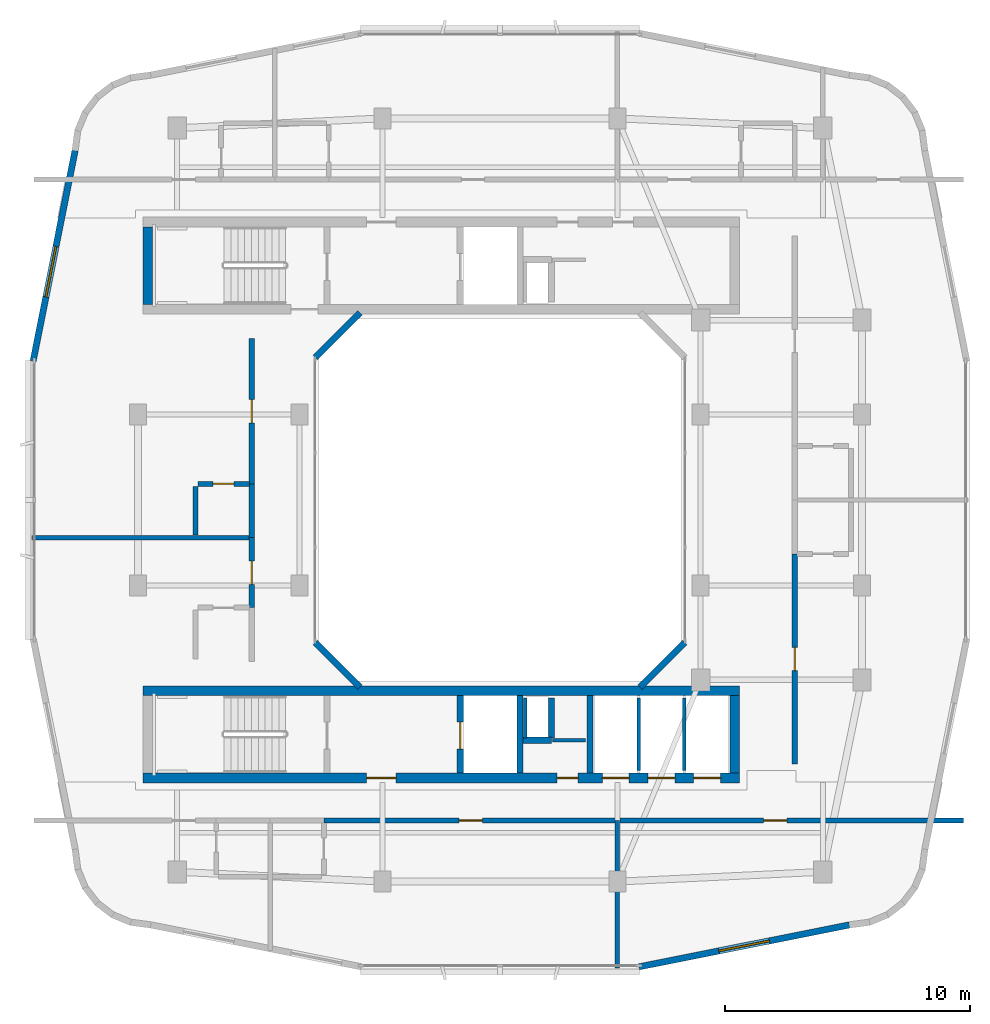
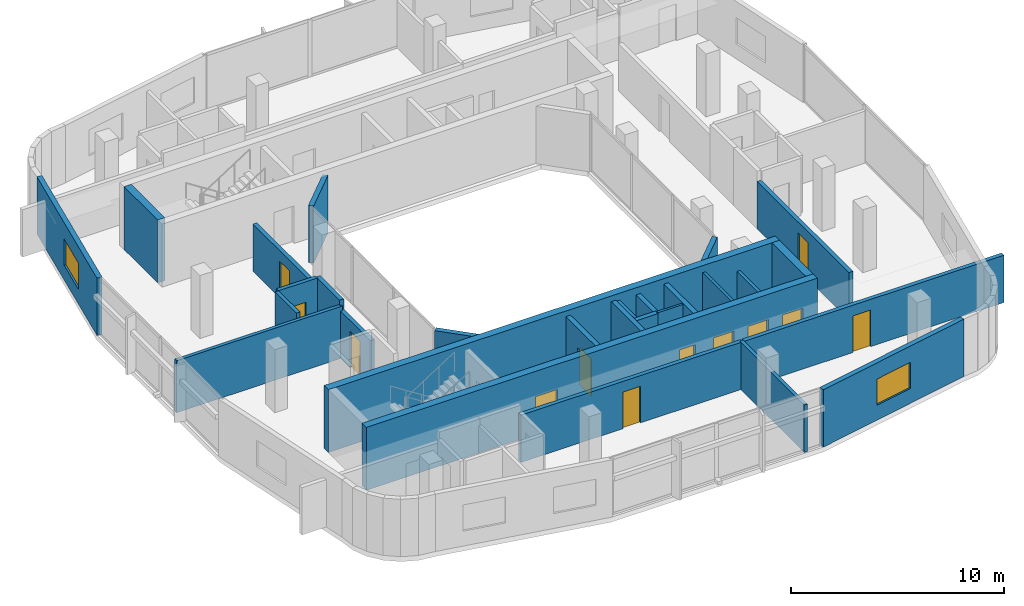
# One storey, part 7 of 13: 28 walls, 12 doors, 2 windows, 14 openings.
"""IFC4 building model written with IfcOpenShell, lengths in metres."""

from ifc_helpers import new_model, si_unit, derived_unit, direction, frame, frame_2d, origin, place, context, subcontext, project, spatial, rectangle, extrude, material, layer, layer_set, type_object, element, fill, save


model = new_model("IFC4")

# Units and contexts
model_context = context("Model", 3, precision=1e-05, world=origin(), true_north=direction((0.0, 1.0)))
body_context = subcontext(model_context, "Body", "Model", "MODEL_VIEW")
ifc_project = project(units=[si_unit("LENGTHUNIT", "METRE"), si_unit("AREAUNIT", "SQUARE_METRE"), si_unit("VOLUMEUNIT", "CUBIC_METRE"), si_unit("PLANEANGLEUNIT", "RADIAN"), si_unit("MASSUNIT", "GRAM", prefix="KILO"), derived_unit("THERMALTRANSMITTANCEUNIT", [(si_unit("POWERUNIT", "WATT"), 1), (si_unit("LENGTHUNIT", "METRE"), -2), (si_unit("THERMODYNAMICTEMPERATUREUNIT", "KELVIN"), -1)])], contexts=[model_context])

# Site, building, storey
site_placement = place(None, origin())
site = spatial("IfcSite", under=ifc_project, at=site_placement, CompositionType="ELEMENT")
building_placement = place(site_placement, origin())
building = spatial("IfcBuilding", under=site, at=building_placement, Name="Kivonza Crest Hotel", CompositionType="ELEMENT")
storey_placement = place(building_placement, frame((0.0, 0.0, 235.10009765625)))
storey = spatial("IfcBuildingStorey", under=building, at=storey_placement, Name="L64", CompositionType="ELEMENT", Elevation=235.10009765625)

# Walls
ifc_material_1 = material(Name="High-density acoustic masonry inter-tenancy wall", Category="masonry")
ifc_layer_1 = layer(ifc_material_1, 0.179931640625)
ifc_layer_set_1 = layer_set([ifc_layer_1], Name="High-density acoustic masonry inter-tenancy wall")
wall_type_1 = type_object("IfcWallType", Name="WL-ACOU-180", PredefinedType="SOLIDWALL", material=ifc_layer_set_1)
wall_1_placement = place(storey_placement, frame((25.800048828125, 5.860107421875, 0.0), z_axis=(0.0, 0.0, 1.0), x_axis=(0.0, 1.0, 0.0)))
element("IfcWall", 1, at=wall_1_placement, inside=storey, type_object=wall_type_1, Name="L64 interior partition WA-L64-T1S-DIV2", PredefinedType="SOLIDWALL", context=body_context, shape_type="SweptSolid", body=[
    extrude(rectangle(XDim=6.039794921875, YDim=0.179931640625, at=frame_2d((3.02001953125, 0.0))), origin(), (0.0, 0.0, 1.0), 2.704833984375),
])
wall_2_placement = place(storey_placement, frame((1.860107421875, 23.4599609375, 0.0), z_axis=(0.0, 0.0, 1.0), x_axis=(1.0, 0.0, 0.0)))
element("IfcWall", 2, at=wall_2_placement, inside=storey, type_object=wall_type_1, Name="L64 interior partition WA-L64-T1W-DIV1", PredefinedType="SOLIDWALL", context=body_context, shape_type="SweptSolid", body=[
    extrude(rectangle(XDim=8.989990234375, YDim=0.179931640625, at=frame_2d((4.4951171875, 0.0))), origin(), (0.0, 0.0, 1.0), 2.974853515625),
])

# Wall, opening, door
ifc_material_2 = material(Name="Autoclaved aerated concrete blockwork", Category="masonry")
ifc_layer_2 = layer(ifc_material_2, 0.219970703125)
ifc_layer_set_2 = layer_set([ifc_layer_2], Name="Autoclaved aerated concrete blockwork")
wall_type_2 = type_object("IfcWallType", Name="WL-ACOU-220", PredefinedType="SOLIDWALL", material=ifc_layer_set_2)
wall_3_placement = place(storey_placement, frame((13.800048828125, 11.89990234375, 0.0), z_axis=(0.0, 0.0, 1.0), x_axis=(1.0, 0.0, 0.0)))
wall_3 = element("IfcWall", 3, at=wall_3_placement, inside=storey, type_object=wall_type_2, Name="L64 interior partition WA-L64-S05-MCORR", PredefinedType="SOLIDWALL", context=body_context, shape_type="SweptSolid", body=[
    extrude(rectangle(XDim=12.0, YDim=0.219970703125, at=frame_2d((6.0, 0.0))), origin(), (0.0, 0.0, 1.0), 2.704833984375),
])
opening_1_placement = place(wall_3_placement, frame((5.52490234375, 0.0, 0.0)))
opening_1 = element("IfcOpeningElement", 4, at=opening_1_placement, cuts=wall_3, Name="Opening DU-60", PredefinedType="OPENING", context=body_context, shape_type="SweptSolid", body=[
    extrude(rectangle(XDim=0.949951171875, YDim=2.10009765625, at=frame_2d((0.47509765625, 1.050048828125))), frame((0.0, 0.1201171875, 0.0), z_axis=(0.0, -1.0, 0.0), x_axis=(1.0, 0.0, 0.0)), (0.0, 0.0, 1.0), 0.239990234375),
])
ifc_material_3 = material(Name="Hardwood timber oak", Category="wood")
door_type_1 = type_object("IfcDoorType", Name="DR-UNIT-950", OperationType="NOTDEFINED", PredefinedType="DOOR", material=ifc_material_3)
door_1_placement = place(opening_1_placement, frame((0.949951171875, 0.0, 0.0), z_axis=(0.0, 0.0, 1.0), x_axis=(-1.0, 0.0, 0.0)))
door_1 = element("IfcDoor", 5, at=door_1_placement, inside=storey, type_object=door_type_1, Name="L64 S05 guest unit entrance fire door", OperationType="SINGLE_SWING_LEFT", OverallHeight=2.10009765625, OverallWidth=0.949951171875, PredefinedType="DOOR", context=body_context, shape_type="SweptSolid", body=[
    extrude(rectangle(XDim=0.949951171875, YDim=2.10009765625, at=frame_2d((0.47509765625, 1.050048828125))), frame((0.0, 0.02490234375, 0.0), z_axis=(0.0, -1.0, 0.0), x_axis=(1.0, 0.0, 0.0)), (0.0, 0.0, 1.0), 0.050048828125),
])
fill(opening_1, door_1)

wall_4_placement = place(storey_placement, frame((25.89990234375, 11.89990234375, 0.0), z_axis=(0.0, 0.0, 1.0), x_axis=(1.0, 0.0, 0.0)))
wall_4 = element("IfcWall", 6, at=wall_4_placement, inside=storey, type_object=wall_type_2, Name="L64 interior partition WA-L64-BUS-MTG-N", PredefinedType="SOLIDWALL", context=body_context, shape_type="SweptSolid", body=[
    extrude(rectangle(XDim=14.0400390625, YDim=0.219970703125, at=frame_2d((7.02001953125, 0.0))), origin(), (0.0, 0.0, 1.0), 2.704833984375),
])
opening_2_placement = place(wall_4_placement, frame((5.881103515625, 0.0, 0.0)))
opening_2 = element("IfcOpeningElement", 7, at=opening_2_placement, cuts=wall_4, Name="Opening DF-60S", PredefinedType="OPENING", context=body_context, shape_type="SweptSolid", body=[
    extrude(rectangle(XDim=0.949951171875, YDim=2.10009765625, at=frame_2d((0.47509765625, 1.050048828125))), frame((0.0, 0.1201171875, 0.0), z_axis=(0.0, -1.0, 0.0), x_axis=(1.0, 0.0, 0.0)), (0.0, 0.0, 1.0), 0.239990234375),
])
door_type_2 = type_object("IfcDoorType", Name="DR-FD60-950", OperationType="NOTDEFINED", PredefinedType="DOOR", material=ifc_material_3)
door_2_placement = place(opening_2_placement, frame((0.949951171875, 0.0, 0.0), z_axis=(0.0, 0.0, 1.0), x_axis=(-1.0, 0.0, 0.0)))
door_2 = element("IfcDoor", 8, at=door_2_placement, inside=storey, type_object=door_type_2, Name="L64 Residents Reading Room door", OperationType="SINGLE_SWING_RIGHT", OverallHeight=2.10009765625, OverallWidth=0.949951171875, PredefinedType="DOOR", context=body_context, shape_type="SweptSolid", body=[
    extrude(rectangle(XDim=0.949951171875, YDim=2.10009765625, at=frame_2d((0.47509765625, 1.050048828125))), frame((0.0, 0.02490234375, 0.0), z_axis=(0.0, -1.0, 0.0), x_axis=(1.0, 0.0, 0.0)), (0.0, 0.0, 1.0), 0.050048828125),
])
fill(opening_2, door_2)

wall_5_placement = place(storey_placement, frame((10.85009765625, 20.60009765625, 0.0), z_axis=(0.0, 0.0, 1.0), x_axis=(0.0, 1.0, 0.0)))
wall_5 = element("IfcWall", 9, at=wall_5_placement, inside=storey, type_object=wall_type_2, Name="L64 interior partition WA-L64-W06-MCORR", PredefinedType="SOLIDWALL", context=body_context, shape_type="SweptSolid", body=[
    extrude(rectangle(XDim=2.85986328125, YDim=0.219970703125, at=frame_2d((1.429931640625, 0.0))), origin(), (0.0, 0.0, 1.0), 2.704833984375),
])
opening_3_placement = place(wall_5_placement, frame((0.955078125, 0.0, 0.0)))
opening_3 = element("IfcOpeningElement", 10, at=opening_3_placement, cuts=wall_5, Name="Opening DU-60", PredefinedType="OPENING", context=body_context, shape_type="SweptSolid", body=[
    extrude(rectangle(XDim=0.949951171875, YDim=2.10009765625, at=frame_2d((0.47509765625, 1.050048828125))), frame((0.0, 0.1201171875, 0.0), z_axis=(0.0, -1.0, 0.0), x_axis=(1.0, 0.0, 0.0)), (0.0, 0.0, 1.0), 0.239990234375),
])
door_3_placement = place(opening_3_placement, origin())
door_3 = element("IfcDoor", 11, at=door_3_placement, inside=storey, type_object=door_type_1, Name="L64 W06 guest unit entrance fire door", OperationType="SINGLE_SWING_RIGHT", OverallHeight=2.10009765625, OverallWidth=0.949951171875, PredefinedType="DOOR", context=body_context, shape_type="SweptSolid", body=[
    extrude(rectangle(XDim=0.949951171875, YDim=2.10009765625, at=frame_2d((0.47509765625, 1.050048828125))), frame((0.0, 0.02490234375, 0.0), z_axis=(0.0, -1.0, 0.0), x_axis=(1.0, 0.0, 0.0)), (0.0, 0.0, 1.0), 0.050048828125),
])
fill(opening_3, door_3)

# Wall
wall_6_placement = place(storey_placement, frame((10.85009765625, 23.4599609375, 0.0), z_axis=(0.0, 0.0, 1.0), x_axis=(0.0, 1.0, 0.0)))
element("IfcWall", 12, at=wall_6_placement, inside=storey, type_object=wall_type_2, Name="L64 interior partition WA-L64-W07-BCORR", PredefinedType="SOLIDWALL", context=body_context, shape_type="SweptSolid", body=[
    extrude(rectangle(XDim=2.199951171875, YDim=0.219970703125, at=frame_2d((1.10009765625, 0.0))), origin(), (0.0, 0.0, 1.0), 3.27978515625),
])

# Wall, opening, door
wall_7_placement = place(storey_placement, frame((10.85009765625, 25.659912109375, 0.0), z_axis=(0.0, 0.0, 1.0), x_axis=(0.0, 1.0, 0.0)))
wall_7 = element("IfcWall", 13, at=wall_7_placement, inside=storey, type_object=wall_type_2, Name="L64 interior partition WA-L64-W07-MCORR", PredefinedType="SOLIDWALL", context=body_context, shape_type="SweptSolid", body=[
    extrude(rectangle(XDim=5.940185546875, YDim=0.219970703125, at=frame_2d((2.97021484375, 0.0))), origin(), (0.0, 0.0, 1.0), 2.704833984375),
])
opening_4_placement = place(wall_7_placement, frame((2.4951171875, 0.0, 0.0)))
opening_4 = element("IfcOpeningElement", 14, at=opening_4_placement, cuts=wall_7, Name="Opening DU-60", PredefinedType="OPENING", context=body_context, shape_type="SweptSolid", body=[
    extrude(rectangle(XDim=0.949951171875, YDim=2.10009765625, at=frame_2d((0.47509765625, 1.050048828125))), frame((0.0, 0.1201171875, 0.0), z_axis=(0.0, -1.0, 0.0), x_axis=(1.0, 0.0, 0.0)), (0.0, 0.0, 1.0), 0.239990234375),
])
door_4_placement = place(opening_4_placement, origin())
door_4 = element("IfcDoor", 15, at=door_4_placement, inside=storey, type_object=door_type_1, Name="L64 W07 guest unit entrance fire door", OperationType="SINGLE_SWING_LEFT", OverallHeight=2.10009765625, OverallWidth=0.949951171875, PredefinedType="DOOR", context=body_context, shape_type="SweptSolid", body=[
    extrude(rectangle(XDim=0.949951171875, YDim=2.10009765625, at=frame_2d((0.47509765625, 1.050048828125))), frame((0.0, 0.02490234375, 0.0), z_axis=(0.0, -1.0, 0.0), x_axis=(1.0, 0.0, 0.0)), (0.0, 0.0, 1.0), 0.050048828125),
])
fill(opening_4, door_4)

wall_8_placement = place(storey_placement, frame((33.050048828125, 14.199951171875, 0.0), z_axis=(0.0, 0.0, 1.0), x_axis=(0.0, 1.0, 0.0)))
wall_8 = element("IfcWall", 16, at=wall_8_placement, inside=storey, type_object=wall_type_2, Name="L64 interior partition WA-L64-E08-MCORR", PredefinedType="SOLIDWALL", context=body_context, shape_type="SweptSolid", body=[
    extrude(rectangle(XDim=8.60009765625, YDim=0.219970703125, at=frame_2d((4.300048828125, 0.0))), origin(), (0.0, 0.0, 1.0), 2.704833984375),
])
opening_5_placement = place(wall_8_placement, frame((3.824951171875, 0.0, 0.0)))
opening_5 = element("IfcOpeningElement", 17, at=opening_5_placement, cuts=wall_8, Name="Opening DU-60", PredefinedType="OPENING", context=body_context, shape_type="SweptSolid", body=[
    extrude(rectangle(XDim=0.949951171875, YDim=2.10009765625, at=frame_2d((0.47509765625, 1.050048828125))), frame((0.0, 0.1201171875, 0.0), z_axis=(0.0, -1.0, 0.0), x_axis=(1.0, 0.0, 0.0)), (0.0, 0.0, 1.0), 0.239990234375),
])
door_5_placement = place(opening_5_placement, frame((0.949951171875, 0.0, 0.0), z_axis=(0.0, 0.0, 1.0), x_axis=(-1.0, 0.0, 0.0)))
door_5 = element("IfcDoor", 18, at=door_5_placement, inside=storey, type_object=door_type_1, Name="L64 E08 guest unit entrance fire door", OperationType="SINGLE_SWING_RIGHT", OverallHeight=2.10009765625, OverallWidth=0.949951171875, PredefinedType="DOOR", context=body_context, shape_type="SweptSolid", body=[
    extrude(rectangle(XDim=0.949951171875, YDim=2.10009765625, at=frame_2d((0.47509765625, 1.050048828125))), frame((0.0, 0.02490234375, 0.0), z_axis=(0.0, -1.0, 0.0), x_axis=(1.0, 0.0, 0.0)), (0.0, 0.0, 1.0), 0.050048828125),
])
fill(opening_5, door_5)

# Wall
ifc_material_4 = material(Name="Concrete C50/60", Category="concrete")
ifc_layer_3 = layer(ifc_material_4, 0.39990234375)
ifc_layer_set_3 = layer_set([ifc_layer_3], Name="Concrete C50/60")
wall_type_3 = type_object("IfcWallType", Name="WL-CORE-400", PredefinedType="SHEAR", material=ifc_layer_set_3)
wall_9_placement = place(storey_placement, frame((6.60009765625, 33.0, 0.0), z_axis=(0.0, 0.0, 1.0), x_axis=(0.0, 1.0, 0.0)))
element("IfcWall", 19, at=wall_9_placement, inside=storey, type_object=wall_type_3, Name="Core wall T1-N West L64", PredefinedType="SHEAR", context=body_context, shape_type="SweptSolid", body=[
    extrude(rectangle(XDim=3.159912109375, YDim=0.39990234375, at=frame_2d((1.580078125, 0.0))), origin(), (0.0, 0.0, 1.0), 3.599853515625),
])

# Wall, openings, doors
wall_10_placement = place(storey_placement, frame((6.39990234375, 13.639892578125, 0.0), z_axis=(0.0, 0.0, 1.0), x_axis=(1.0, 0.0, 0.0)))
wall_10 = element("IfcWall", 20, at=wall_10_placement, inside=storey, type_object=wall_type_3, Name="Core wall T1-S South L64", PredefinedType="SHEAR", context=body_context, shape_type="SweptSolid", body=[
    extrude(rectangle(XDim=24.400146484375, YDim=0.39990234375, at=frame_2d((12.2001953125, 0.0))), origin(), (0.0, 0.0, 1.0), 3.599853515625),
])
opening_6_placement = place(wall_10_placement, frame((9.14990234375, 0.0, 0.0)))
opening_6 = element("IfcOpeningElement", 21, at=opening_6_placement, cuts=wall_10, Name="Opening DF-60", PredefinedType="OPENING", context=body_context, shape_type="SweptSolid", body=[
    extrude(rectangle(XDim=1.199951171875, YDim=2.14990234375, at=frame_2d((0.60009765625, 1.074951171875))), frame((0.0, 0.2099609375, 0.0), z_axis=(0.0, -1.0, 0.0), x_axis=(1.0, 0.0, 0.0)), (0.0, 0.0, 1.0), 0.419921875),
])
opening_7_placement = place(wall_10_placement, frame((16.93994140625, 0.0, 0.0)))
opening_7 = element("IfcOpeningElement", 22, at=opening_7_placement, cuts=wall_10, Name="Opening DF-60R", PredefinedType="OPENING", context=body_context, shape_type="SweptSolid", body=[
    extrude(rectangle(XDim=0.85009765625, YDim=2.10009765625, at=frame_2d((0.425048828125, 1.050048828125))), frame((0.0, 0.2099609375, 0.0), z_axis=(0.0, -1.0, 0.0), x_axis=(1.0, 0.0, 0.0)), (0.0, 0.0, 1.0), 0.419921875),
])
opening_8_placement = place(wall_10_placement, frame((18.782958984375, 0.0, 0.0)))
opening_8 = element("IfcOpeningElement", 23, at=opening_8_placement, cuts=wall_10, Name="Opening LD-120", PredefinedType="OPENING", context=body_context, shape_type="SweptSolid", body=[
    extrude(rectangle(XDim=1.10009765625, YDim=2.14990234375, at=frame_2d((0.550048828125, 1.074951171875))), frame((0.0, 0.2099609375, 0.0), z_axis=(0.0, -1.0, 0.0), x_axis=(1.0, 0.0, 0.0)), (0.0, 0.0, 1.0), 0.419921875),
])
opening_9_placement = place(wall_10_placement, frame((20.64990234375, 0.0, 0.0)))
opening_9 = element("IfcOpeningElement", 24, at=opening_9_placement, cuts=wall_10, Name="Opening LD-120", PredefinedType="OPENING", context=body_context, shape_type="SweptSolid", body=[
    extrude(rectangle(XDim=1.10009765625, YDim=2.14990234375, at=frame_2d((0.550048828125, 1.074951171875))), frame((0.0, 0.2099609375, 0.0), z_axis=(0.0, -1.0, 0.0), x_axis=(1.0, 0.0, 0.0)), (0.0, 0.0, 1.0), 0.419921875),
])
opening_10_placement = place(wall_10_placement, frame((22.51708984375, 0.0, 0.0)))
opening_10 = element("IfcOpeningElement", 25, at=opening_10_placement, cuts=wall_10, Name="Opening LD-120", PredefinedType="OPENING", context=body_context, shape_type="SweptSolid", body=[
    extrude(rectangle(XDim=1.10009765625, YDim=2.14990234375, at=frame_2d((0.550048828125, 1.074951171875))), frame((0.0, 0.2099609375, 0.0), z_axis=(0.0, -1.0, 0.0), x_axis=(1.0, 0.0, 0.0)), (0.0, 0.0, 1.0), 0.419921875),
])
door_type_3 = type_object("IfcDoorType", Name="DR-FD60-1200", OperationType="NOTDEFINED", PredefinedType="DOOR", material=ifc_material_3)
door_6_placement = place(opening_6_placement, frame((1.199951171875, 0.0, 0.0), z_axis=(0.0, 0.0, 1.0), x_axis=(-1.0, 0.0, 0.0)))
door_6 = element("IfcDoor", 26, at=door_6_placement, inside=storey, type_object=door_type_3, Name="L64 T1-S firefighting lobby fire door", OperationType="SINGLE_SWING_LEFT", OverallHeight=2.14990234375, OverallWidth=1.199951171875, PredefinedType="DOOR", context=body_context, shape_type="SweptSolid", body=[
    extrude(rectangle(XDim=1.199951171875, YDim=2.14990234375, at=frame_2d((0.60009765625, 1.074951171875))), frame((0.0, 0.02490234375, 0.0), z_axis=(0.0, -1.0, 0.0), x_axis=(1.0, 0.0, 0.0)), (0.0, 0.0, 1.0), 0.050048828125),
])
fill(opening_6, door_6)
door_type_4 = type_object("IfcDoorType", Name="DR-FD60-850", OperationType="NOTDEFINED", PredefinedType="DOOR", material=ifc_material_3)
door_7_placement = place(opening_7_placement, frame((0.85009765625, 0.0, 0.0), z_axis=(0.0, 0.0, 1.0), x_axis=(-1.0, 0.0, 0.0)))
door_7 = element("IfcDoor", 27, at=door_7_placement, inside=storey, type_object=door_type_4, Name="L64 T1-S core room door", OperationType="SINGLE_SWING_RIGHT", OverallHeight=2.10009765625, OverallWidth=0.85009765625, PredefinedType="DOOR", context=body_context, shape_type="SweptSolid", body=[
    extrude(rectangle(XDim=0.85009765625, YDim=2.10009765625, at=frame_2d((0.425048828125, 1.050048828125))), frame((0.0, 0.02490234375, 0.0), z_axis=(0.0, -1.0, 0.0), x_axis=(1.0, 0.0, 0.0)), (0.0, 0.0, 1.0), 0.050048828125),
])
fill(opening_7, door_7)
ifc_material_5 = material(Name="Stainless steel", Category="steel")
door_type_5 = type_object("IfcDoorType", Name="DR-LD120-1100", OperationType="NOTDEFINED", PredefinedType="DOOR", material=ifc_material_5)
door_8_placement = place(opening_8_placement, frame((1.10009765625, 0.0, 0.0), z_axis=(0.0, 0.0, 1.0), x_axis=(-1.0, 0.0, 0.0)))
door_8 = element("IfcDoor", 28, at=door_8_placement, inside=storey, type_object=door_type_5, Name="L64 PL-T1-H1 passenger lift sliding landing door", OperationType="DOUBLE_DOOR_SLIDING", OverallHeight=2.14990234375, OverallWidth=1.10009765625, PredefinedType="DOOR", context=body_context, shape_type="SweptSolid", body=[
    extrude(rectangle(XDim=1.10009765625, YDim=2.14990234375, at=frame_2d((0.550048828125, 1.074951171875))), frame((0.0, 0.02490234375, 0.0), z_axis=(0.0, -1.0, 0.0), x_axis=(1.0, 0.0, 0.0)), (0.0, 0.0, 1.0), 0.050048828125),
])
fill(opening_8, door_8)
door_9_placement = place(opening_9_placement, frame((1.10009765625, 0.0, 0.0), z_axis=(0.0, 0.0, 1.0), x_axis=(-1.0, 0.0, 0.0)))
door_9 = element("IfcDoor", 29, at=door_9_placement, inside=storey, type_object=door_type_5, Name="L64 PL-T1-H2 passenger lift sliding landing door", OperationType="DOUBLE_DOOR_SLIDING", OverallHeight=2.14990234375, OverallWidth=1.10009765625, PredefinedType="DOOR", context=body_context, shape_type="SweptSolid", body=[
    extrude(rectangle(XDim=1.10009765625, YDim=2.14990234375, at=frame_2d((0.550048828125, 1.074951171875))), frame((0.0, 0.02490234375, 0.0), z_axis=(0.0, -1.0, 0.0), x_axis=(1.0, 0.0, 0.0)), (0.0, 0.0, 1.0), 0.050048828125),
])
fill(opening_9, door_9)
door_10_placement = place(opening_10_placement, frame((1.10009765625, 0.0, 0.0), z_axis=(0.0, 0.0, 1.0), x_axis=(-1.0, 0.0, 0.0)))
door_10 = element("IfcDoor", 30, at=door_10_placement, inside=storey, type_object=door_type_5, Name="L64 PL-T1-H3 passenger lift sliding landing door", OperationType="DOUBLE_DOOR_SLIDING", OverallHeight=2.14990234375, OverallWidth=1.10009765625, PredefinedType="DOOR", context=body_context, shape_type="SweptSolid", body=[
    extrude(rectangle(XDim=1.10009765625, YDim=2.14990234375, at=frame_2d((0.550048828125, 1.074951171875))), frame((0.0, 0.02490234375, 0.0), z_axis=(0.0, -1.0, 0.0), x_axis=(1.0, 0.0, 0.0)), (0.0, 0.0, 1.0), 0.050048828125),
])
fill(opening_10, door_10)

# Walls
wall_11_placement = place(storey_placement, frame((6.39990234375, 17.199951171875, 0.0), z_axis=(0.0, 0.0, 1.0), x_axis=(1.0, 0.0, 0.0)))
element("IfcWall", 31, at=wall_11_placement, inside=storey, type_object=wall_type_3, Name="Core wall T1-S North L64", PredefinedType="SHEAR", context=body_context, shape_type="SweptSolid", body=[
    extrude(rectangle(XDim=24.400146484375, YDim=0.39990234375, at=frame_2d((12.2001953125, 0.0))), origin(), (0.0, 0.0, 1.0), 3.599853515625),
])
wall_12_placement = place(storey_placement, frame((30.60009765625, 13.840087890625, 0.0), z_axis=(0.0, 0.0, 1.0), x_axis=(0.0, 1.0, 0.0)))
element("IfcWall", 32, at=wall_12_placement, inside=storey, type_object=wall_type_3, Name="Core wall T1-S East L64", PredefinedType="SHEAR", context=body_context, shape_type="SweptSolid", body=[
    extrude(rectangle(XDim=3.159912109375, YDim=0.39990234375, at=frame_2d((1.580078125, 0.0))), origin(), (0.0, 0.0, 1.0), 3.599853515625),
])

# Wall, opening, window
ifc_material_6 = material(Name="Precast concrete C40/50", Category="concrete")
ifc_layer_4 = layer(ifc_material_6, 0.260009765625)
ifc_layer_set_4 = layer_set([ifc_layer_4], Name="Precast concrete C40/50")
wall_type_4 = type_object("IfcWallType", Name="WL-EXT-260", PredefinedType="STANDARD", material=ifc_layer_set_4)
wall_13_placement = place(storey_placement, frame((26.680908203125, 5.916015625, 0.0), z_axis=(0.0, 0.0, 1.0), x_axis=(0.980745199176, 0.195291715883, 0.0)))
wall_13 = element("IfcWall", 33, at=wall_13_placement, inside=storey, type_object=wall_type_4, Name="L64 T1 exterior insulated wall 9", PredefinedType="STANDARD", context=body_context, shape_type="SweptSolid", body=[
    extrude(rectangle(XDim=8.77099609375, YDim=0.260009765625, at=frame_2d((4.385498046875, 0.0))), origin(), (0.0, 0.0, 1.0), 3.27978515625),
])
opening_11_placement = place(wall_13_placement, frame((3.3349609375, 0.0, 0.85009765625)))
opening_11 = element("IfcOpeningElement", 34, at=opening_11_placement, cuts=wall_13, Name="Opening WN-04", PredefinedType="OPENING", context=body_context, shape_type="SweptSolid", body=[
    extrude(rectangle(XDim=2.10009765625, YDim=1.5, at=frame_2d((1.050048828125, 0.75))), frame((0.0, 0.14013671875, 0.0), z_axis=(0.0, -1.0, 0.0), x_axis=(1.0, 0.0, 0.0)), (0.0, 0.0, 1.0), 0.280029296875),
])
ifc_material_7 = material(Name="Thermally broken bronze aluminium and low-E double glazing", Category="aluminium")
window_type = type_object("IfcWindowType", Name="WN-210x150", PartitioningType="DOUBLE_PANEL_VERTICAL", PredefinedType="WINDOW", material=ifc_material_7)
window_1_placement = place(opening_11_placement, origin())
window_1 = element("IfcWindow", 35, at=window_1_placement, inside=storey, type_object=window_type, Name="L64 T1 facade window 9", OverallHeight=1.5, OverallWidth=2.10009765625, PartitioningType="SINGLE_PANEL", PredefinedType="WINDOW", context=body_context, shape_type="SweptSolid", body=[
    extrude(rectangle(XDim=2.10009765625, YDim=1.5, at=frame_2d((1.050048828125, 0.75))), frame((0.0, 0.030029296875, 0.0), z_axis=(0.0, -1.0, 0.0), x_axis=(1.0, 0.0, 0.0)), (0.0, 0.0, 1.0), 0.06005859375),
])
fill(opening_11, window_1)

wall_14_placement = place(storey_placement, frame((3.62890625, 39.282958984375, 0.0), z_axis=(0.0, 0.0, 1.0), x_axis=(-0.195291715883, -0.980745199176, 0.0)))
wall_14 = element("IfcWall", 36, at=wall_14_placement, inside=storey, type_object=wall_type_4, Name="L64 T1 exterior insulated wall 34", PredefinedType="STANDARD", context=body_context, shape_type="SweptSolid", body=[
    extrude(rectangle(XDim=8.77099609375, YDim=0.260009765625, at=frame_2d((4.385498046875, 0.0))), origin(), (0.0, 0.0, 1.0), 3.27978515625),
])
opening_12_placement = place(wall_14_placement, frame((4.0, 0.0, 0.85009765625)))
opening_12 = element("IfcOpeningElement", 37, at=opening_12_placement, cuts=wall_14, Name="Opening WN-04", PredefinedType="OPENING", context=body_context, shape_type="SweptSolid", body=[
    extrude(rectangle(XDim=2.10009765625, YDim=1.5, at=frame_2d((1.050048828125, 0.75))), frame((0.0, 0.14013671875, 0.0), z_axis=(0.0, -1.0, 0.0), x_axis=(1.0, 0.0, 0.0)), (0.0, 0.0, 1.0), 0.280029296875),
])
window_2_placement = place(opening_12_placement, origin())
window_2 = element("IfcWindow", 38, at=window_2_placement, inside=storey, type_object=window_type, Name="L64 T1 facade window 34", OverallHeight=1.5, OverallWidth=2.10009765625, PartitioningType="SINGLE_PANEL", PredefinedType="WINDOW", context=body_context, shape_type="SweptSolid", body=[
    extrude(rectangle(XDim=2.10009765625, YDim=1.5, at=frame_2d((1.050048828125, 0.75))), frame((0.0, 0.030029296875, 0.0), z_axis=(0.0, -1.0, 0.0), x_axis=(1.0, 0.0, 0.0)), (0.0, 0.0, 1.0), 0.06005859375),
])
fill(opening_12, window_2)

# Walls
for number, where, z_axis, x_axis, name in (
    (39, (26.721923828125, 17.337890625, 0.0), (0.0, 0.0, 1.0), (0.707059717605, 0.707153841636, 0.0), "L64 T1 light-well exterior wall 2"),
    (40, (15.278076171875, 32.662109375, 0.0), (0.0, 0.0, 1.0), (-0.707059717605, -0.707153841636, 0.0), "L64 T1 light-well exterior wall 6"),
    (41, (13.444091796875, 19.172119140625, 0.0), (0.0, 0.0, 1.0), (0.707059717605, -0.707153841636, 0.0), "L64 T1 light-well exterior wall 8"),
):
    element("IfcWall", number, at=place(storey_placement, frame(where, z_axis=z_axis, x_axis=x_axis)), inside=storey, type_object=wall_type_4, Name=name, PredefinedType="STANDARD", context=body_context, shape_type="SweptSolid", body=[
        extrude(rectangle(XDim=2.59375, YDim=0.260009765625, at=frame_2d((1.296875, 0.0))), origin(), (0.0, 0.0, 1.0), 3.27978515625),
    ])
ifc_material_8 = material(Name="Concrete blockwork fire-compartment wall", Category="masonry")
ifc_layer_5 = layer(ifc_material_8, 0.25)
ifc_layer_set_5 = layer_set([ifc_layer_5], Name="Concrete blockwork fire-compartment wall")
wall_type_5 = type_object("IfcWallType", Name="WL-FIRE-250", PredefinedType="SOLIDWALL", material=ifc_layer_set_5)
wall_15_placement = place(storey_placement, frame((23.10009765625, 15.280029296875, 0.0), z_axis=(0.0, 0.0, 1.0), x_axis=(0.0, 1.0, 0.0)))
element("IfcWall", 42, at=wall_15_placement, inside=storey, type_object=wall_type_5, Name="L64 interior partition WA-L64-T1-S-MEPR-E", PredefinedType="SOLIDWALL", context=body_context, shape_type="SweptSolid", body=[
    extrude(rectangle(XDim=1.619873046875, YDim=0.25, at=frame_2d((0.81005859375, 0.0))), origin(), (0.0, 0.0, 1.0), 3.27978515625),
])
wall_16_placement = place(storey_placement, frame((21.949951171875, 15.179931640625, 0.0), z_axis=(0.0, 0.0, 1.0), x_axis=(1.0, 0.0, 0.0)))
element("IfcWall", 43, at=wall_16_placement, inside=storey, type_object=wall_type_5, Name="L64 interior partition WA-L64-T1-S-MEPR-H", PredefinedType="SOLIDWALL", context=body_context, shape_type="SweptSolid", body=[
    extrude(rectangle(XDim=1.150146484375, YDim=0.25, at=frame_2d((0.5751953125, 0.0))), origin(), (0.0, 0.0, 1.0), 3.27978515625),
])
ifc_material_9 = material(Name="Metal-stud gypsum board partition", Category="gypsum")
ifc_layer_6 = layer(ifc_material_9, 0.125)
ifc_layer_set_6 = layer_set([ifc_layer_6], Name="Metal-stud gypsum board partition")
wall_type_6 = type_object("IfcWallType", Name="WL-PART-125", PredefinedType="PARTITIONING", material=ifc_layer_set_6)
wall_17_placement = place(storey_placement, frame((23.14990234375, 15.179931640625, 0.0), z_axis=(0.0, 0.0, 1.0), x_axis=(1.0, 0.0, 0.0)))
element("IfcWall", 44, at=wall_17_placement, inside=storey, type_object=wall_type_6, Name="L64 interior partition WP-L64-T1-S-SV2H", PredefinedType="PARTITIONING", context=body_context, shape_type="SweptSolid", body=[
    extrude(rectangle(XDim=1.35009765625, YDim=0.125, at=frame_2d((0.675048828125, 0.0))), origin(), (0.0, 0.0, 1.0), 3.27978515625),
])
ifc_material_10 = material(Name="Twin-stud acoustic gypsum board partition", Category="gypsum")
ifc_layer_7 = layer(ifc_material_10, 0.14990234375)
ifc_layer_set_7 = layer_set([ifc_layer_7], Name="Twin-stud acoustic gypsum board partition")
wall_type_7 = type_object("IfcWallType", Name="WL-PART-150", PredefinedType="PARTITIONING", material=ifc_layer_set_7)
wall_18_placement = place(storey_placement, frame((22.030029296875, 15.280029296875, 0.0), z_axis=(0.0, 0.0, 1.0), x_axis=(0.0, 1.0, 0.0)))
element("IfcWall", 45, at=wall_18_placement, inside=storey, type_object=wall_type_7, Name="L64 interior partition WA-L64-T1-S-MEPR-W", PredefinedType="PARTITIONING", context=body_context, shape_type="SweptSolid", body=[
    extrude(rectangle(XDim=1.619873046875, YDim=0.14990234375, at=frame_2d((0.81005859375, 0.0))), origin(), (0.0, 0.0, 1.0), 3.27978515625),
])
wall_19_placement = place(storey_placement, frame((26.6669921875, 13.93994140625, 0.0), z_axis=(0.0, 0.0, 1.0), x_axis=(0.0, 1.0, 0.0)))
element("IfcWall", 46, at=wall_19_placement, inside=storey, type_object=wall_type_7, Name="L64 interior partition WP-L64-T1-S-BSH-1", PredefinedType="PARTITIONING", context=body_context, shape_type="SweptSolid", body=[
    extrude(rectangle(XDim=2.9599609375, YDim=0.14990234375, at=frame_2d((1.47998046875, 0.0))), origin(), (0.0, 0.0, 1.0), 3.27978515625),
])
wall_20_placement = place(storey_placement, frame((28.532958984375, 13.93994140625, 0.0), z_axis=(0.0, 0.0, 1.0), x_axis=(0.0, 1.0, 0.0)))
element("IfcWall", 47, at=wall_20_placement, inside=storey, type_object=wall_type_7, Name="L64 interior partition WP-L64-T1-S-BSH-2", PredefinedType="PARTITIONING", context=body_context, shape_type="SweptSolid", body=[
    extrude(rectangle(XDim=2.9599609375, YDim=0.14990234375, at=frame_2d((1.47998046875, 0.0))), origin(), (0.0, 0.0, 1.0), 2.704833984375),
])

# Wall, opening, door
ifc_material_11 = material(Name="Moisture-resistant plumbing chase partition wall", Category="gypsum")
ifc_layer_8 = layer(ifc_material_11, 0.199951171875)
ifc_layer_set_8 = layer_set([ifc_layer_8], Name="Moisture-resistant plumbing chase partition wall")
wall_type_8 = type_object("IfcWallType", Name="WL-PLUMB-200", PredefinedType="PLUMBINGWALL", material=ifc_layer_set_8)
wall_21_placement = place(storey_placement, frame((8.64990234375, 25.659912109375, 0.0), z_axis=(0.0, 0.0, 1.0), x_axis=(1.0, 0.0, 0.0)))
wall_21 = element("IfcWall", 48, at=wall_21_placement, inside=storey, type_object=wall_type_8, Name="L64 interior partition WW-L64-W07-BH", PredefinedType="PLUMBINGWALL", context=body_context, shape_type="SweptSolid", body=[
    extrude(rectangle(XDim=2.10009765625, YDim=0.199951171875, at=frame_2d((1.050048828125, 0.0))), origin(), (0.0, 0.0, 1.0), 3.27978515625),
])
opening_13_placement = place(wall_21_placement, frame((0.625, 0.0, 0.0)))
opening_13 = element("IfcOpeningElement", 49, at=opening_13_placement, cuts=wall_21, Name="Opening DI-85", PredefinedType="OPENING", context=body_context, shape_type="SweptSolid", body=[
    extrude(rectangle(XDim=0.85009765625, YDim=2.10009765625, at=frame_2d((0.425048828125, 1.050048828125))), frame((0.0, 0.10986328125, 0.0), z_axis=(0.0, -1.0, 0.0), x_axis=(1.0, 0.0, 0.0)), (0.0, 0.0, 1.0), 0.219970703125),
])
door_type_6 = type_object("IfcDoorType", Name="DR-INT-850", OperationType="NOTDEFINED", PredefinedType="DOOR", material=ifc_material_3)
door_11_placement = place(opening_13_placement, origin())
door_11 = element("IfcDoor", 50, at=door_11_placement, inside=storey, type_object=door_type_6, Name="L64 W07 en-suite bathroom door", OperationType="SINGLE_SWING_RIGHT", OverallHeight=2.10009765625, OverallWidth=0.85009765625, PredefinedType="DOOR", context=body_context, shape_type="SweptSolid", body=[
    extrude(rectangle(XDim=0.85009765625, YDim=2.10009765625, at=frame_2d((0.425048828125, 1.050048828125))), frame((0.0, 0.02490234375, 0.0), z_axis=(0.0, -1.0, 0.0), x_axis=(1.0, 0.0, 0.0)), (0.0, 0.0, 1.0), 0.050048828125),
])
fill(opening_13, door_11)

# Wall
wall_22_placement = place(storey_placement, frame((8.550048828125, 23.56005859375, 0.0), z_axis=(0.0, 0.0, 1.0), x_axis=(0.0, 1.0, 0.0)))
element("IfcWall", 51, at=wall_22_placement, inside=storey, type_object=wall_type_8, Name="L64 interior partition WW-L64-W07-BV", PredefinedType="PLUMBINGWALL", context=body_context, shape_type="SweptSolid", body=[
    extrude(rectangle(XDim=2.0, YDim=0.199951171875, at=frame_2d((1.0, 0.0))), origin(), (0.0, 0.0, 1.0), 3.27978515625),
])

# Wall, opening, door
ifc_layer_9 = layer(ifc_material_4, 0.25)
ifc_layer_set_9 = layer_set([ifc_layer_9], Name="Concrete C50/60")
wall_type_9 = type_object("IfcWallType", Name="WL-SHAFT-250", PredefinedType="STANDARD", material=ifc_layer_set_9)
wall_23_placement = place(storey_placement, frame((19.375, 13.840087890625, 0.0), z_axis=(0.0, 0.0, 1.0), x_axis=(0.0, 1.0, 0.0)))
wall_23 = element("IfcWall", 52, at=wall_23_placement, inside=storey, type_object=wall_type_9, Name="Core shaft wall T1-S FFL-W L64", PredefinedType="STANDARD", context=body_context, shape_type="SweptSolid", body=[
    extrude(rectangle(XDim=3.159912109375, YDim=0.25, at=frame_2d((1.580078125, 0.0))), origin(), (0.0, 0.0, 1.0), 3.27978515625),
])
opening_14_placement = place(wall_23_placement, frame((0.97998046875, 0.0, 0.0)))
opening_14 = element("IfcOpeningElement", 53, at=opening_14_placement, cuts=wall_23, Name="Opening LD-120", PredefinedType="OPENING", context=body_context, shape_type="SweptSolid", body=[
    extrude(rectangle(XDim=1.10009765625, YDim=2.14990234375, at=frame_2d((0.550048828125, 1.074951171875))), frame((0.0, 0.135009765625, 0.0), z_axis=(0.0, -1.0, 0.0), x_axis=(1.0, 0.0, 0.0)), (0.0, 0.0, 1.0), 0.27001953125),
])
door_12_placement = place(opening_14_placement, origin())
door_12 = element("IfcDoor", 54, at=door_12_placement, inside=storey, type_object=door_type_5, Name="L64 FFL-T1-S firefighting lift sliding landing door", OperationType="DOUBLE_DOOR_SLIDING", OverallHeight=2.14990234375, OverallWidth=1.10009765625, PredefinedType="DOOR", context=body_context, shape_type="SweptSolid", body=[
    extrude(rectangle(XDim=1.10009765625, YDim=2.14990234375, at=frame_2d((0.550048828125, 1.074951171875))), frame((0.0, 0.02490234375, 0.0), z_axis=(0.0, -1.0, 0.0), x_axis=(1.0, 0.0, 0.0)), (0.0, 0.0, 1.0), 0.050048828125),
])
fill(opening_14, door_12)

# Walls
for number, where, z_axis, x_axis, name in (
    (55, (21.824951171875, 13.840087890625, 0.0), (0.0, 0.0, 1.0), (0.0, 1.0, 0.0), "Core shaft wall T1-S FFL-E L64"),
    (56, (24.675048828125, 13.840087890625, 0.0), (0.0, 0.0, 1.0), (0.0, 1.0, 0.0), "Core shaft wall T1-S BANK-W L64"),
):
    element("IfcWall", number, at=place(storey_placement, frame(where, z_axis=z_axis, x_axis=x_axis)), inside=storey, type_object=wall_type_9, Name=name, PredefinedType="STANDARD", context=body_context, shape_type="SweptSolid", body=[
        extrude(rectangle(XDim=3.159912109375, YDim=0.25, at=frame_2d((1.580078125, 0.0))), origin(), (0.0, 0.0, 1.0), 3.27978515625),
    ])

save(model, "model.ifc")
